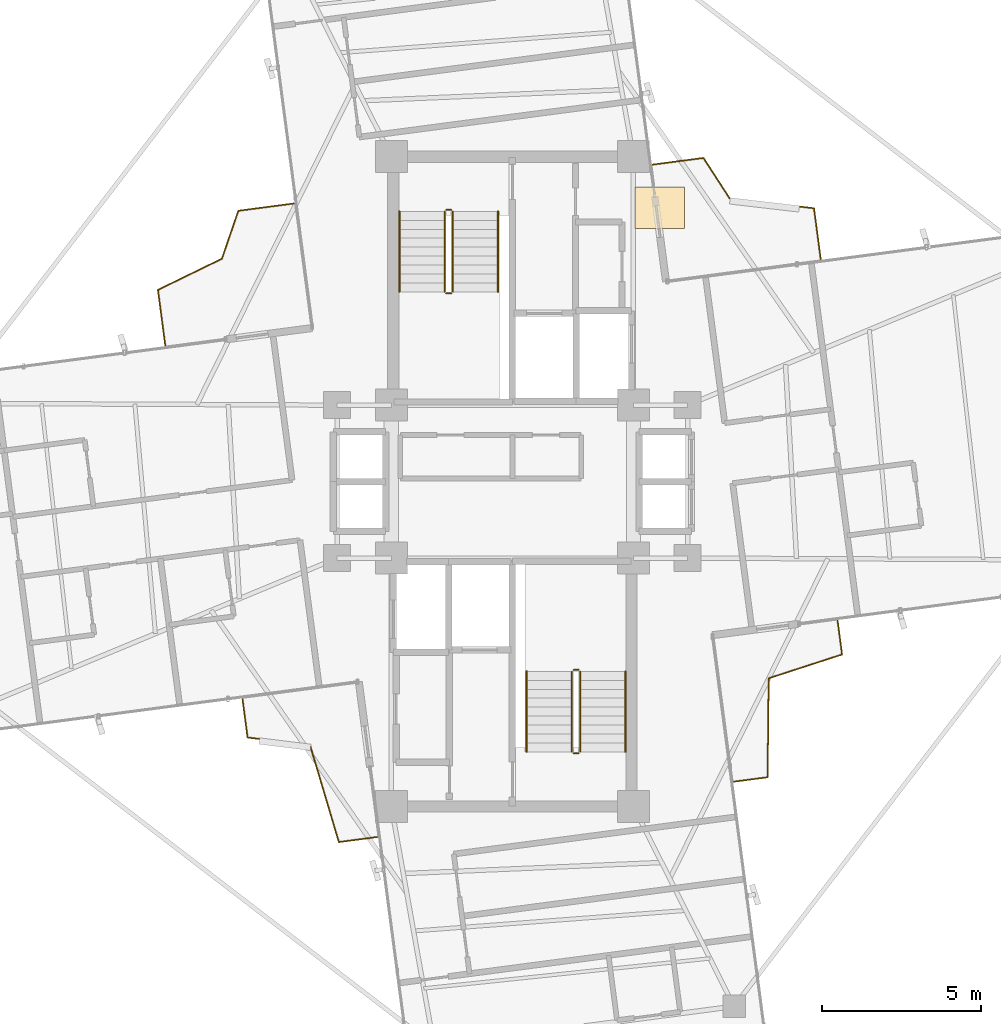
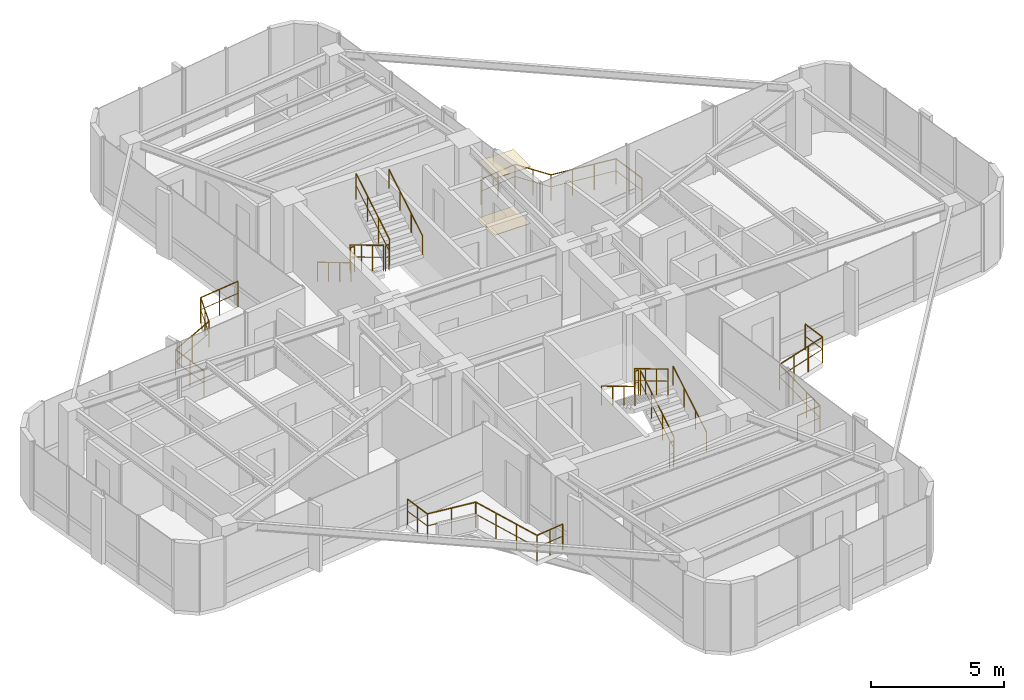
# One storey, part 22 of 22: 16 railings, 2 coverings.
"""IFC4 building model written with IfcOpenShell, lengths in metres."""

from ifc_helpers import new_model, si_unit, direction, frame, origin, origin_2d, place, context, subcontext, project, spatial, polyline, circle, outline, extrude, material, layer, layer_set, type_object, element, save


model = new_model("IFC4")

# Units and contexts
model_context = context("Model", 3, precision=1e-05, world=origin(), true_north=direction((0.0, 1.0)))
body_context = subcontext(model_context, "Body", "Model", "MODEL_VIEW")
ifc_project = project(units=[si_unit("LENGTHUNIT", "METRE"), si_unit("AREAUNIT", "SQUARE_METRE"), si_unit("VOLUMEUNIT", "CUBIC_METRE"), si_unit("PLANEANGLEUNIT", "RADIAN"), si_unit("MASSUNIT", "GRAM", prefix="KILO")], contexts=[model_context])

# Site, building, storey
site_placement = place(None, origin())
site = spatial("IfcSite", under=ifc_project, at=site_placement, CompositionType="ELEMENT")
building_placement = place(site_placement, origin())
building = spatial("IfcBuilding", under=site, at=building_placement, Name="Sahyath Konkavel Grand Hotel", CompositionType="ELEMENT")
storey_placement = place(building_placement, frame((0.0, 0.0, 257.89990234375)))
storey = spatial("IfcBuildingStorey", under=building, at=storey_placement, Name="L72", CompositionType="ELEMENT", Elevation=257.89990234375)

# Coverings
ifc_material_1 = material(Name="Perforated Acoustic Gypsum and Teak Baffle Ceiling")
ifc_layer_1 = layer(ifc_material_1, 0.044921875)
ifc_layer_set_1 = layer_set([ifc_layer_1], Name="Perforated Acoustic Gypsum and Teak Baffle Ceiling")
covering_type_1 = type_object("IfcCoveringType", Name="COV-ACOUSTIC-CLG", PredefinedType="CEILING", material=ifc_layer_set_1)
covering_1_placement = place(storey_placement, frame((0.0, 0.0, 2.590087890625)))
element("IfcCovering", 1, at=covering_1_placement, inside=storey, type_object=covering_type_1, Name="L72 Core Vestibule Acoustic Ceiling", PredefinedType="CEILING", context=body_context, shape_type="SweptSolid", body=[
    extrude(outline(polyline([(3.85009765625, 7.949951171875), (5.39990234375, 7.949951171875), (5.39990234375, 9.25), (3.85009765625, 9.25), (3.85009765625, 7.949951171875)])), origin(), (0.0, 0.0, 1.0), 0.0400390625),
])
ifc_material_2 = material(Name="Polished Konkan Aggregate Terrazzo Flooring")
ifc_layer_2 = layer(ifc_material_2, 0.02001953125)
ifc_layer_set_2 = layer_set([ifc_layer_2], Name="Polished Konkan Aggregate Terrazzo Flooring")
covering_type_2 = type_object("IfcCoveringType", Name="COV-TERRAZZO", PredefinedType="FLOORING", material=ifc_layer_set_2)
covering_2_placement = place(storey_placement, origin())
element("IfcCovering", 2, at=covering_2_placement, inside=storey, type_object=covering_type_2, Name="L72 Core Vestibule Terrazzo Flooring", PredefinedType="FLOORING", context=body_context, shape_type="SweptSolid", body=[
    extrude(outline(polyline([(3.85009765625, 7.949951171875), (5.39990234375, 7.949951171875), (5.39990234375, 9.25), (3.85009765625, 9.25), (3.85009765625, 7.949951171875)])), origin(), (0.0, 0.0, 1.0), 0.02001953125),
])

# Railings
ifc_material_3 = material(Name="Anodised Bronze Aluminium", Category="aluminium")
railing_type_1 = type_object("IfcRailingType", Name="RLG-BALC-1200", PredefinedType="GUARDRAIL", material=ifc_material_3)
railing_1_placement = place(storey_placement, frame((9.679443359375, 6.983154296875, 0.0)))
element("IfcRailing", 3, at=railing_1_placement, inside=storey, type_object=railing_type_1, Name="L72 Winter-Garden Guard NE", PredefinedType="GUARDRAIL", context=body_context, shape_type="SweptSolid", body=[
    extrude(circle(Radius=0.02392578125, at=origin_2d()), frame((-0.000244140625, 0.001953125, 1.17578125), z_axis=(-0.13066600815, 0.991426444228, 0.0), x_axis=(-0.991426444228, -0.13066600815, 0.0)), (0.0, 0.0, 1.0), 1.6083984375),
    extrude(circle(Radius=0.01416015625, at=origin_2d()), frame((-0.000244140625, 0.001953125, 0.6240234375), z_axis=(-0.13066600815, 0.991426444228, 0.0), x_axis=(-0.991426444228, -0.13066600815, 0.0)), (0.0, 0.0, 1.0), 1.6083984375),
    extrude(circle(Radius=0.02392578125, at=origin_2d()), frame((-0.212646484375, 1.598876953125, 1.17578125), z_axis=(-0.993318372739, 0.11540628397, 0.0), x_axis=(-0.11540628397, -0.993318372739, 0.0)), (0.0, 0.0, 1.0), 2.66162109375),
    extrude(circle(Radius=0.01416015625, at=origin_2d()), frame((-0.212646484375, 1.598876953125, 0.6240234375), z_axis=(-0.993318372739, 0.11540628397, 0.0), x_axis=(-0.11540628397, -0.993318372739, 0.0)), (0.0, 0.0, 1.0), 2.66162109375),
    extrude(circle(Radius=0.02392578125, at=origin_2d()), frame((-2.859375, 1.907958984375, 1.17578125), z_axis=(-0.543311385839, 0.839531260894, 0.0), x_axis=(-0.839531260894, -0.543311385839, 0.0)), (0.0, 0.0, 1.0), 1.51171875),
    extrude(circle(Radius=0.01416015625, at=origin_2d()), frame((-2.859375, 1.907958984375, 0.6240234375), z_axis=(-0.543311385839, 0.839531260894, 0.0), x_axis=(-0.839531260894, -0.543311385839, 0.0)), (0.0, 0.0, 1.0), 1.51171875),
    extrude(circle(Radius=0.02392578125, at=origin_2d()), frame((-3.683837890625, 3.178466796875, 1.17578125), z_axis=(-0.991448626525, -0.130497589871, 0.0), x_axis=(0.130497589871, -0.991448626525, 0.0)), (0.0, 0.0, 1.0), 1.608642578125),
    extrude(circle(Radius=0.01416015625, at=origin_2d()), frame((-3.683837890625, 3.178466796875, 0.6240234375), z_axis=(-0.991448626525, -0.130497589871, 0.0), x_axis=(0.130497589871, -0.991448626525, 0.0)), (0.0, 0.0, 1.0), 1.608642578125),
    extrude(circle(Radius=0.02099609375, at=origin_2d()), origin(), (0.0, 0.0, 1.0), 1.15185546875),
    extrude(circle(Radius=0.02099609375, at=origin_2d()), frame((-0.10546875, 0.79931640625, 0.0)), (0.0, 0.0, 1.0), 1.15185546875),
    extrude(circle(Radius=0.02099609375, at=origin_2d()), frame((-0.210693359375, 1.5986328125, 0.0)), (0.0, 0.0, 1.0), 1.15185546875),
    extrude(circle(Radius=0.02099609375, at=origin_2d()), frame((-1.09326171875, 1.701171875, 0.0)), (0.0, 0.0, 1.0), 1.15185546875),
    extrude(circle(Radius=0.02099609375, at=origin_2d()), frame((-1.975830078125, 1.8037109375, 0.0)), (0.0, 0.0, 1.0), 1.15185546875),
    extrude(circle(Radius=0.02099609375, at=origin_2d()), frame((-2.8583984375, 1.90625, 0.0)), (0.0, 0.0, 1.0), 1.15185546875),
    extrude(circle(Radius=0.02099609375, at=origin_2d()), frame((-3.27001953125, 2.54248046875, 0.0)), (0.0, 0.0, 1.0), 1.15185546875),
    extrude(circle(Radius=0.02099609375, at=origin_2d()), frame((-3.681884765625, 3.1787109375, 0.0)), (0.0, 0.0, 1.0), 1.15185546875),
    extrude(circle(Radius=0.02099609375, at=origin_2d()), frame((-4.4814453125, 3.073486328125, 0.0)), (0.0, 0.0, 1.0), 1.15185546875),
    extrude(circle(Radius=0.02099609375, at=origin_2d()), frame((-5.28076171875, 2.96826171875, 0.0)), (0.0, 0.0, 1.0), 1.15185546875),
])
railing_2_placement = place(storey_placement, frame((-6.8583984375, 8.732421875, 0.0)))
element("IfcRailing", 4, at=railing_2_placement, inside=storey, type_object=railing_type_1, Name="L72 Winter-Garden Guard NW", PredefinedType="GUARDRAIL", context=body_context, shape_type="SweptSolid", body=[
    extrude(circle(Radius=0.02392578125, at=origin_2d()), frame((-0.001953125, -0.000244140625, 1.17578125), z_axis=(-0.991445795666, -0.130519095372, 0.0), x_axis=(0.130519095372, -0.991445795666, 0.0)), (0.0, 0.0, 1.0), 1.756103515625),
    extrude(circle(Radius=0.01416015625, at=origin_2d()), frame((-0.001953125, -0.000244140625, 0.6240234375), z_axis=(-0.991445795666, -0.130519095372, 0.0), x_axis=(0.130519095372, -0.991445795666, 0.0)), (0.0, 0.0, 1.0), 1.756103515625),
    extrude(circle(Radius=0.02392578125, at=origin_2d()), frame((-1.745849609375, -0.231689453125, 1.17578125), z_axis=(-0.324226248719, -0.945979566186, 0.0), x_axis=(0.945979566186, -0.324226248719, 0.0)), (0.0, 0.0, 1.0), 1.587158203125),
    extrude(circle(Radius=0.01416015625, at=origin_2d()), frame((-1.745849609375, -0.231689453125, 0.6240234375), z_axis=(-0.324226248719, -0.945979566186, 0.0), x_axis=(0.945979566186, -0.324226248719, 0.0)), (0.0, 0.0, 1.0), 1.587158203125),
    extrude(circle(Radius=0.02392578125, at=origin_2d()), frame((-2.2626953125, -1.73583984375, 1.17578125), z_axis=(-0.899033993731, -0.437878839538, 0.0), x_axis=(0.437878839538, -0.899033993731, 0.0)), (0.0, 0.0, 1.0), 2.230224609375),
    extrude(circle(Radius=0.01416015625, at=origin_2d()), frame((-2.2626953125, -1.73583984375, 0.6240234375), z_axis=(-0.899033993731, -0.437878839538, 0.0), x_axis=(0.437878839538, -0.899033993731, 0.0)), (0.0, 0.0, 1.0), 2.230224609375),
    extrude(circle(Radius=0.02392578125, at=origin_2d()), frame((-4.269287109375, -2.715087890625, 1.17578125), z_axis=(0.130501149348, -0.991448158009, 0.0), x_axis=(0.991448158009, 0.130501149348, 0.0)), (0.0, 0.0, 1.0), 1.75634765625),
    extrude(circle(Radius=0.01416015625, at=origin_2d()), frame((-4.269287109375, -2.715087890625, 0.6240234375), z_axis=(0.130501149348, -0.991448158009, 0.0), x_axis=(0.991448158009, 0.130501149348, 0.0)), (0.0, 0.0, 1.0), 1.75634765625),
    extrude(circle(Radius=0.02099609375, at=origin_2d()), origin(), (0.0, 0.0, 1.0), 1.15185546875),
    extrude(circle(Radius=0.02099609375, at=origin_2d()), frame((-0.87255859375, -0.11474609375, 0.0)), (0.0, 0.0, 1.0), 1.15185546875),
    extrude(circle(Radius=0.02099609375, at=origin_2d()), frame((-1.7451171875, -0.229736328125, 0.0)), (0.0, 0.0, 1.0), 1.15185546875),
    extrude(circle(Radius=0.02099609375, at=origin_2d()), frame((-2.0029296875, -0.982421875, 0.0)), (0.0, 0.0, 1.0), 1.15185546875),
    extrude(circle(Radius=0.02099609375, at=origin_2d()), frame((-2.260986328125, -1.73486328125, 0.0)), (0.0, 0.0, 1.0), 1.15185546875),
    extrude(circle(Radius=0.02099609375, at=origin_2d()), frame((-3.26513671875, -2.22412109375, 0.0)), (0.0, 0.0, 1.0), 1.15185546875),
    extrude(circle(Radius=0.02099609375, at=origin_2d()), frame((-4.26953125, -2.713134765625, 0.0)), (0.0, 0.0, 1.0), 1.15185546875),
    extrude(circle(Radius=0.02099609375, at=origin_2d()), frame((-4.15478515625, -3.5859375, 0.0)), (0.0, 0.0, 1.0), 1.15185546875),
    extrude(circle(Radius=0.02099609375, at=origin_2d()), frame((-4.039794921875, -4.45849609375, 0.0)), (0.0, 0.0, 1.0), 1.15185546875),
])
railing_3_placement = place(storey_placement, frame((-8.473876953125, -6.824462890625, 0.0)))
element("IfcRailing", 5, at=railing_3_placement, inside=storey, type_object=railing_type_1, Name="L72 Winter-Garden Guard SW", PredefinedType="GUARDRAIL", context=body_context, shape_type="SweptSolid", body=[
    extrude(circle(Radius=0.02392578125, at=origin_2d()), frame((0.000244140625, -0.001953125, 1.17578125), z_axis=(0.130537376722, -0.991443388842, 0.0), x_axis=(0.991443388842, 0.130537376722, 0.0)), (0.0, 0.0, 1.0), 1.21533203125),
    extrude(circle(Radius=0.01416015625, at=origin_2d()), frame((0.000244140625, -0.001953125, 0.6240234375), z_axis=(0.130537376722, -0.991443388842, 0.0), x_axis=(0.991443388842, 0.130537376722, 0.0)), (0.0, 0.0, 1.0), 1.21533203125),
    extrude(circle(Radius=0.02392578125, at=origin_2d()), frame((0.1611328125, -1.209228515625, 1.17578125), z_axis=(0.992404538956, -0.123017198227, 0.0), x_axis=(0.123017198227, 0.992404538956, 0.0)), (0.0, 0.0, 1.0), 1.974609375),
    extrude(circle(Radius=0.01416015625, at=origin_2d()), frame((0.1611328125, -1.209228515625, 0.6240234375), z_axis=(0.992404538956, -0.123017198227, 0.0), x_axis=(0.123017198227, 0.992404538956, 0.0)), (0.0, 0.0, 1.0), 1.974609375),
    extrude(circle(Radius=0.02392578125, at=origin_2d()), frame((2.123291015625, -1.454345703125, 1.17578125), z_axis=(0.284562900629, -0.95865737132, 0.0), x_axis=(0.95865737132, 0.284562900629, 0.0)), (0.0, 0.0, 1.0), 3.166015625),
    extrude(circle(Radius=0.01416015625, at=origin_2d()), frame((2.123291015625, -1.454345703125, 0.6240234375), z_axis=(0.284562900629, -0.95865737132, 0.0), x_axis=(0.95865737132, 0.284562900629, 0.0)), (0.0, 0.0, 1.0), 3.166015625),
    extrude(circle(Radius=0.02392578125, at=origin_2d()), frame((3.02685546875, -4.4912109375, 1.17578125), z_axis=(0.991443388842, 0.130537376722, 0.0), x_axis=(-0.130537376722, 0.991443388842, 0.0)), (0.0, 0.0, 1.0), 1.21533203125),
    extrude(circle(Radius=0.01416015625, at=origin_2d()), frame((3.02685546875, -4.4912109375, 0.6240234375), z_axis=(0.991443388842, 0.130537376722, 0.0), x_axis=(-0.130537376722, 0.991443388842, 0.0)), (0.0, 0.0, 1.0), 1.21533203125),
    extrude(circle(Radius=0.02099609375, at=origin_2d()), origin(), (0.0, 0.0, 1.0), 1.15185546875),
    extrude(circle(Radius=0.02099609375, at=origin_2d()), frame((0.07958984375, -0.6044921875, 0.0)), (0.0, 0.0, 1.0), 1.15185546875),
    extrude(circle(Radius=0.02099609375, at=origin_2d()), frame((0.1591796875, -1.208984375, 0.0)), (0.0, 0.0, 1.0), 1.15185546875),
    extrude(circle(Radius=0.02099609375, at=origin_2d()), frame((1.14111328125, -1.33056640625, 0.0)), (0.0, 0.0, 1.0), 1.15185546875),
    extrude(circle(Radius=0.02099609375, at=origin_2d()), frame((2.122802734375, -1.452392578125, 0.0)), (0.0, 0.0, 1.0), 1.15185546875),
    extrude(circle(Radius=0.02099609375, at=origin_2d()), frame((2.423583984375, -2.46533203125, 0.0)), (0.0, 0.0, 1.0), 1.15185546875),
    extrude(circle(Radius=0.02099609375, at=origin_2d()), frame((2.72412109375, -3.478515625, 0.0)), (0.0, 0.0, 1.0), 1.15185546875),
    extrude(circle(Radius=0.02099609375, at=origin_2d()), frame((3.02490234375, -4.491455078125, 0.0)), (0.0, 0.0, 1.0), 1.15185546875),
    extrude(circle(Radius=0.02099609375, at=origin_2d()), frame((3.62939453125, -4.411865234375, 0.0)), (0.0, 0.0, 1.0), 1.15185546875),
    extrude(circle(Radius=0.02099609375, at=origin_2d()), frame((4.23388671875, -4.332275390625, 0.0)), (0.0, 0.0, 1.0), 1.15185546875),
])
railing_4_placement = place(storey_placement, frame((6.94921875, -9.420654296875, 0.0)))
element("IfcRailing", 6, at=railing_4_placement, inside=storey, type_object=railing_type_1, Name="L72 Winter-Garden Guard SE", PredefinedType="GUARDRAIL", context=body_context, shape_type="SweptSolid", body=[
    extrude(circle(Radius=0.02392578125, at=origin_2d()), frame((0.001953125, 0.000244140625, 1.17578125), z_axis=(0.991443436473, 0.130537014958, 0.0), x_axis=(-0.130537014958, 0.991443436473, 0.0)), (0.0, 0.0, 1.0), 1.067626953125),
    extrude(circle(Radius=0.01416015625, at=origin_2d()), frame((0.001953125, 0.000244140625, 0.6240234375), z_axis=(0.991443436473, 0.130537014958, 0.0), x_axis=(-0.130537014958, 0.991443436473, 0.0)), (0.0, 0.0, 1.0), 1.067626953125),
    extrude(circle(Radius=0.02392578125, at=origin_2d()), frame((1.0625, 0.141845703125, 1.17578125), z_axis=(0.011317360509, 0.999935956625, 0.0), x_axis=(-0.999935956625, 0.011317360509, 0.0)), (0.0, 0.0, 1.0), 3.102294921875),
    extrude(circle(Radius=0.01416015625, at=origin_2d()), frame((1.0625, 0.141845703125, 0.6240234375), z_axis=(0.011317360509, 0.999935956625, 0.0), x_axis=(-0.999935956625, 0.011317360509, 0.0)), (0.0, 0.0, 1.0), 3.102294921875),
    extrude(circle(Radius=0.02392578125, at=origin_2d()), frame((1.099609375, 3.246826171875, 1.17578125), z_axis=(0.951183627445, 0.308625512361, 0.0), x_axis=(-0.308625512361, 0.951183627445, 0.0)), (0.0, 0.0, 1.0), 2.41748046875),
    extrude(circle(Radius=0.01416015625, at=origin_2d()), frame((1.099609375, 3.246826171875, 0.6240234375), z_axis=(0.951183627445, 0.308625512361, 0.0), x_axis=(-0.308625512361, 0.951183627445, 0.0)), (0.0, 0.0, 1.0), 2.41748046875),
    extrude(circle(Radius=0.02392578125, at=origin_2d()), frame((3.400634765625, 3.995361328125, 1.17578125), z_axis=(-0.130731410517, 0.991417822265, 0.0), x_axis=(-0.991417822265, -0.130731410517, 0.0)), (0.0, 0.0, 1.0), 1.06787109375),
    extrude(circle(Radius=0.01416015625, at=origin_2d()), frame((3.400634765625, 3.995361328125, 0.6240234375), z_axis=(-0.130731410517, 0.991417822265, 0.0), x_axis=(-0.991417822265, -0.130731410517, 0.0)), (0.0, 0.0, 1.0), 1.06787109375),
    extrude(circle(Radius=0.02099609375, at=origin_2d()), origin(), (0.0, 0.0, 1.0), 1.15185546875),
    extrude(circle(Radius=0.02099609375, at=origin_2d()), frame((1.0625, 0.139892578125, 0.0)), (0.0, 0.0, 1.0), 1.15185546875),
    extrude(circle(Radius=0.02099609375, at=origin_2d()), frame((1.07421875, 1.17529296875, 0.0)), (0.0, 0.0, 1.0), 1.15185546875),
    extrude(circle(Radius=0.02099609375, at=origin_2d()), frame((1.0859375, 2.210693359375, 0.0)), (0.0, 0.0, 1.0), 1.15185546875),
    extrude(circle(Radius=0.02099609375, at=origin_2d()), frame((1.09765625, 3.24609375, 0.0)), (0.0, 0.0, 1.0), 1.15185546875),
    extrude(circle(Radius=0.02099609375, at=origin_2d()), frame((1.865478515625, 3.4951171875, 0.0)), (0.0, 0.0, 1.0), 1.15185546875),
    extrude(circle(Radius=0.02099609375, at=origin_2d()), frame((2.633056640625, 3.744384765625, 0.0)), (0.0, 0.0, 1.0), 1.15185546875),
    extrude(circle(Radius=0.02099609375, at=origin_2d()), frame((3.40087890625, 3.993408203125, 0.0)), (0.0, 0.0, 1.0), 1.15185546875),
    extrude(circle(Radius=0.02099609375, at=origin_2d()), frame((3.2607421875, 5.05615234375, 0.0)), (0.0, 0.0, 1.0), 1.15185546875),
])
ifc_material_4 = material(Name="Steel E350", Category="steel")
railing_type_2 = type_object("IfcRailingType", Name="RLG-STAIR-GRD", PredefinedType="GUARDRAIL", material=ifc_material_4)
railing_5_placement = place(storey_placement, frame((-2.1298828125, 8.47998046875, 0.16748046875)))
element("IfcRailing", 7, at=railing_5_placement, inside=storey, type_object=railing_type_2, Name="L72 ST-1 stair guard 1", PredefinedType="GUARDRAIL", context=body_context, shape_type="SweptSolid", body=[
    extrude(circle(Radius=0.02392578125, at=origin_2d()), frame((0.0, -0.001708984375, 1.177001953125), z_axis=(0.0, -0.858159760407, 0.513382728203), x_axis=(1.0, 0.0, 0.0)), (0.0, 0.0, 1.0), 2.9326171875),
    extrude(circle(Radius=0.01416015625, at=origin_2d()), frame((0.0, -0.001708984375, 0.625), z_axis=(0.0, -0.858159760407, 0.513382728203), x_axis=(1.0, 0.0, 0.0)), (0.0, 0.0, 1.0), 2.9326171875),
    extrude(circle(Radius=0.02099609375, at=origin_2d()), origin(), (0.0, 0.0, 1.0), 1.15185546875),
    extrude(circle(Radius=0.02099609375, at=origin_2d()), frame((0.0, -0.840087890625, 0.50244140625)), (0.0, 0.0, 1.0), 1.15185546875),
    extrude(circle(Radius=0.02099609375, at=origin_2d()), frame((0.0, -1.679931640625, 1.005126953125)), (0.0, 0.0, 1.0), 1.15185546875),
    extrude(circle(Radius=0.02099609375, at=origin_2d()), frame((0.0, -2.52001953125, 1.507568359375)), (0.0, 0.0, 1.0), 1.15185546875),
])
railing_6_placement = place(storey_placement, frame((-2.080078125, 5.909912109375, 1.675048828125)))
element("IfcRailing", 8, at=railing_6_placement, inside=storey, type_object=railing_type_2, Name="L72 ST-1 stair guard 2", PredefinedType="GUARDRAIL", context=body_context, shape_type="SweptSolid", body=[
    extrude(circle(Radius=0.02392578125, at=origin_2d()), frame((0.001953125, 0.0, 1.17578125), z_axis=(1.0, 0.0, 0.0), x_axis=(0.0, 1.0, 0.0)), (0.0, 0.0, 1.0), 0.15625),
    extrude(circle(Radius=0.01416015625, at=origin_2d()), frame((0.001953125, 0.0, 0.6240234375), z_axis=(1.0, 0.0, 0.0), x_axis=(0.0, 1.0, 0.0)), (0.0, 0.0, 1.0), 0.15625),
    extrude(circle(Radius=0.02099609375, at=origin_2d()), origin(), (0.0, 0.0, 1.0), 1.15185546875),
    extrude(circle(Radius=0.02099609375, at=origin_2d()), frame((0.16015625, 0.0, 0.0)), (0.0, 0.0, 1.0), 1.15185546875),
])
railing_7_placement = place(storey_placement, frame((-1.8701171875, 5.9599609375, 1.842529296875)))
element("IfcRailing", 9, at=railing_7_placement, inside=storey, type_object=railing_type_2, Name="L72 ST-1 stair guard 3", PredefinedType="GUARDRAIL", context=body_context, shape_type="SweptSolid", body=[
    extrude(circle(Radius=0.02392578125, at=origin_2d()), frame((0.0, 0.001708984375, 1.177001953125), z_axis=(0.0, 0.858159760407, 0.513382728203), x_axis=(-1.0, 0.0, 0.0)), (0.0, 0.0, 1.0), 2.9326171875),
    extrude(circle(Radius=0.01416015625, at=origin_2d()), frame((0.0, 0.001708984375, 0.625), z_axis=(0.0, 0.858159760407, 0.513382728203), x_axis=(-1.0, 0.0, 0.0)), (0.0, 0.0, 1.0), 2.9326171875),
    extrude(circle(Radius=0.02099609375, at=origin_2d()), origin(), (0.0, 0.0, 1.0), 1.15185546875),
    extrude(circle(Radius=0.02099609375, at=origin_2d()), frame((0.0, 0.840087890625, 0.50244140625)), (0.0, 0.0, 1.0), 1.15185546875),
    extrude(circle(Radius=0.02099609375, at=origin_2d()), frame((0.0, 1.679931640625, 1.005126953125)), (0.0, 0.0, 1.0), 1.15185546875),
    extrude(circle(Radius=0.02099609375, at=origin_2d()), frame((0.0, 2.52001953125, 1.507568359375)), (0.0, 0.0, 1.0), 1.15185546875),
])
railing_8_placement = place(storey_placement, frame((-2.080078125, 8.530029296875, 0.0)))
element("IfcRailing", 10, at=railing_8_placement, inside=storey, type_object=railing_type_2, Name="L72 ST-1 stair guard 4", PredefinedType="GUARDRAIL", context=body_context, shape_type="SweptSolid", body=[
    extrude(circle(Radius=0.02392578125, at=origin_2d()), frame((0.001953125, 0.0, 1.17578125), z_axis=(1.0, 0.0, 0.0), x_axis=(0.0, 1.0, 0.0)), (0.0, 0.0, 1.0), 0.15625),
    extrude(circle(Radius=0.01416015625, at=origin_2d()), frame((0.001953125, 0.0, 0.6240234375), z_axis=(1.0, 0.0, 0.0), x_axis=(0.0, 1.0, 0.0)), (0.0, 0.0, 1.0), 0.15625),
    extrude(circle(Radius=0.02099609375, at=origin_2d()), origin(), (0.0, 0.0, 1.0), 1.15185546875),
    extrude(circle(Radius=0.02099609375, at=origin_2d()), frame((0.16015625, 0.0, 0.0)), (0.0, 0.0, 1.0), 1.15185546875),
])
railing_9_placement = place(storey_placement, frame((2.1298828125, -8.47998046875, 0.16748046875)))
element("IfcRailing", 11, at=railing_9_placement, inside=storey, type_object=railing_type_2, Name="L72 ST-2 stair guard 1", PredefinedType="GUARDRAIL", context=body_context, shape_type="SweptSolid", body=[
    extrude(circle(Radius=0.02392578125, at=origin_2d()), frame((0.0, 0.001708984375, 1.177001953125), z_axis=(0.0, 0.858159760407, 0.513382728203), x_axis=(-1.0, 0.0, 0.0)), (0.0, 0.0, 1.0), 2.9326171875),
    extrude(circle(Radius=0.01416015625, at=origin_2d()), frame((0.0, 0.001708984375, 0.625), z_axis=(0.0, 0.858159760407, 0.513382728203), x_axis=(-1.0, 0.0, 0.0)), (0.0, 0.0, 1.0), 2.9326171875),
    extrude(circle(Radius=0.02099609375, at=origin_2d()), origin(), (0.0, 0.0, 1.0), 1.15185546875),
    extrude(circle(Radius=0.02099609375, at=origin_2d()), frame((0.0, 0.840087890625, 0.50244140625)), (0.0, 0.0, 1.0), 1.15185546875),
    extrude(circle(Radius=0.02099609375, at=origin_2d()), frame((0.0, 1.679931640625, 1.005126953125)), (0.0, 0.0, 1.0), 1.15185546875),
    extrude(circle(Radius=0.02099609375, at=origin_2d()), frame((0.0, 2.52001953125, 1.507568359375)), (0.0, 0.0, 1.0), 1.15185546875),
])
railing_10_placement = place(storey_placement, frame((2.080078125, -5.909912109375, 1.675048828125)))
element("IfcRailing", 12, at=railing_10_placement, inside=storey, type_object=railing_type_2, Name="L72 ST-2 stair guard 2", PredefinedType="GUARDRAIL", context=body_context, shape_type="SweptSolid", body=[
    extrude(circle(Radius=0.02392578125, at=origin_2d()), frame((-0.001953125, 0.0, 1.17578125), z_axis=(-1.0, 0.0, 0.0), x_axis=(0.0, -1.0, 0.0)), (0.0, 0.0, 1.0), 0.15625),
    extrude(circle(Radius=0.01416015625, at=origin_2d()), frame((-0.001953125, 0.0, 0.6240234375), z_axis=(-1.0, 0.0, 0.0), x_axis=(0.0, -1.0, 0.0)), (0.0, 0.0, 1.0), 0.15625),
    extrude(circle(Radius=0.02099609375, at=origin_2d()), origin(), (0.0, 0.0, 1.0), 1.15185546875),
    extrude(circle(Radius=0.02099609375, at=origin_2d()), frame((-0.16015625, 0.0, 0.0)), (0.0, 0.0, 1.0), 1.15185546875),
])
railing_11_placement = place(storey_placement, frame((1.8701171875, -5.9599609375, 1.842529296875)))
element("IfcRailing", 13, at=railing_11_placement, inside=storey, type_object=railing_type_2, Name="L72 ST-2 stair guard 3", PredefinedType="GUARDRAIL", context=body_context, shape_type="SweptSolid", body=[
    extrude(circle(Radius=0.02392578125, at=origin_2d()), frame((0.0, -0.001708984375, 1.177001953125), z_axis=(0.0, -0.858159760407, 0.513382728203), x_axis=(1.0, 0.0, 0.0)), (0.0, 0.0, 1.0), 2.9326171875),
    extrude(circle(Radius=0.01416015625, at=origin_2d()), frame((0.0, -0.001708984375, 0.625), z_axis=(0.0, -0.858159760407, 0.513382728203), x_axis=(1.0, 0.0, 0.0)), (0.0, 0.0, 1.0), 2.9326171875),
    extrude(circle(Radius=0.02099609375, at=origin_2d()), origin(), (0.0, 0.0, 1.0), 1.15185546875),
    extrude(circle(Radius=0.02099609375, at=origin_2d()), frame((0.0, -0.840087890625, 0.50244140625)), (0.0, 0.0, 1.0), 1.15185546875),
    extrude(circle(Radius=0.02099609375, at=origin_2d()), frame((0.0, -1.679931640625, 1.005126953125)), (0.0, 0.0, 1.0), 1.15185546875),
    extrude(circle(Radius=0.02099609375, at=origin_2d()), frame((0.0, -2.52001953125, 1.507568359375)), (0.0, 0.0, 1.0), 1.15185546875),
])
railing_12_placement = place(storey_placement, frame((2.080078125, -8.530029296875, 0.0)))
element("IfcRailing", 14, at=railing_12_placement, inside=storey, type_object=railing_type_2, Name="L72 ST-2 stair guard 4", PredefinedType="GUARDRAIL", context=body_context, shape_type="SweptSolid", body=[
    extrude(circle(Radius=0.02392578125, at=origin_2d()), frame((-0.001953125, 0.0, 1.17578125), z_axis=(-1.0, 0.0, 0.0), x_axis=(0.0, -1.0, 0.0)), (0.0, 0.0, 1.0), 0.15625),
    extrude(circle(Radius=0.01416015625, at=origin_2d()), frame((-0.001953125, 0.0, 0.6240234375), z_axis=(-1.0, 0.0, 0.0), x_axis=(0.0, -1.0, 0.0)), (0.0, 0.0, 1.0), 0.15625),
    extrude(circle(Radius=0.02099609375, at=origin_2d()), origin(), (0.0, 0.0, 1.0), 1.15185546875),
    extrude(circle(Radius=0.02099609375, at=origin_2d()), frame((-0.16015625, 0.0, 0.0)), (0.0, 0.0, 1.0), 1.15185546875),
])
railing_type_3 = type_object("IfcRailingType", Name="RLG-STAIR-HND", PredefinedType="HANDRAIL", material=ifc_material_3)
railing_13_placement = place(storey_placement, frame((-3.550048828125, 8.47998046875, 0.16748046875)))
element("IfcRailing", 15, at=railing_13_placement, inside=storey, type_object=railing_type_3, Name="L72 ST-1 stair handrail 1", PredefinedType="HANDRAIL", context=body_context, shape_type="SweptSolid", body=[
    extrude(circle(Radius=0.02392578125, at=origin_2d()), frame((0.0, -0.001708984375, 0.876953125), z_axis=(0.0, -0.858159760407, 0.513382728203), x_axis=(1.0, 0.0, 0.0)), (0.0, 0.0, 1.0), 2.9326171875),
    extrude(circle(Radius=0.02099609375, at=origin_2d()), origin(), (0.0, 0.0, 1.0), 0.851806640625),
    extrude(circle(Radius=0.02099609375, at=origin_2d()), frame((0.0, -0.840087890625, 0.50244140625)), (0.0, 0.0, 1.0), 0.851806640625),
    extrude(circle(Radius=0.02099609375, at=origin_2d()), frame((0.0, -1.679931640625, 1.005126953125)), (0.0, 0.0, 1.0), 0.851806640625),
    extrude(circle(Radius=0.02099609375, at=origin_2d()), frame((0.0, -2.52001953125, 1.507568359375)), (0.0, 0.0, 1.0), 0.851806640625),
])
for number, where, name in (
    (16, (-0.449951171875, 5.9599609375, 1.842529296875), "L72 ST-1 stair handrail 2"),
    (17, (3.550048828125, -8.47998046875, 0.16748046875), "L72 ST-2 stair handrail 1"),
):
    element("IfcRailing", number, at=place(storey_placement, frame(where)), inside=storey, type_object=railing_type_3, Name=name, PredefinedType="HANDRAIL", context=body_context, shape_type="SweptSolid", body=[
        extrude(circle(Radius=0.02392578125, at=origin_2d()), frame((0.0, 0.001708984375, 0.876953125), z_axis=(0.0, 0.858159760407, 0.513382728203), x_axis=(-1.0, 0.0, 0.0)), (0.0, 0.0, 1.0), 2.9326171875),
        extrude(circle(Radius=0.02099609375, at=origin_2d()), origin(), (0.0, 0.0, 1.0), 0.851806640625),
        extrude(circle(Radius=0.02099609375, at=origin_2d()), frame((0.0, 0.840087890625, 0.50244140625)), (0.0, 0.0, 1.0), 0.851806640625),
        extrude(circle(Radius=0.02099609375, at=origin_2d()), frame((0.0, 1.679931640625, 1.005126953125)), (0.0, 0.0, 1.0), 0.851806640625),
        extrude(circle(Radius=0.02099609375, at=origin_2d()), frame((0.0, 2.52001953125, 1.507568359375)), (0.0, 0.0, 1.0), 0.851806640625),
    ])
railing_14_placement = place(storey_placement, frame((0.449951171875, -5.9599609375, 1.842529296875)))
element("IfcRailing", 18, at=railing_14_placement, inside=storey, type_object=railing_type_3, Name="L72 ST-2 stair handrail 2", PredefinedType="HANDRAIL", context=body_context, shape_type="SweptSolid", body=[
    extrude(circle(Radius=0.02392578125, at=origin_2d()), frame((0.0, -0.001708984375, 0.876953125), z_axis=(0.0, -0.858159760407, 0.513382728203), x_axis=(1.0, 0.0, 0.0)), (0.0, 0.0, 1.0), 2.9326171875),
    extrude(circle(Radius=0.02099609375, at=origin_2d()), origin(), (0.0, 0.0, 1.0), 0.851806640625),
    extrude(circle(Radius=0.02099609375, at=origin_2d()), frame((0.0, -0.840087890625, 0.50244140625)), (0.0, 0.0, 1.0), 0.851806640625),
    extrude(circle(Radius=0.02099609375, at=origin_2d()), frame((0.0, -1.679931640625, 1.005126953125)), (0.0, 0.0, 1.0), 0.851806640625),
    extrude(circle(Radius=0.02099609375, at=origin_2d()), frame((0.0, -2.52001953125, 1.507568359375)), (0.0, 0.0, 1.0), 0.851806640625),
])

save(model, "model.ifc")
